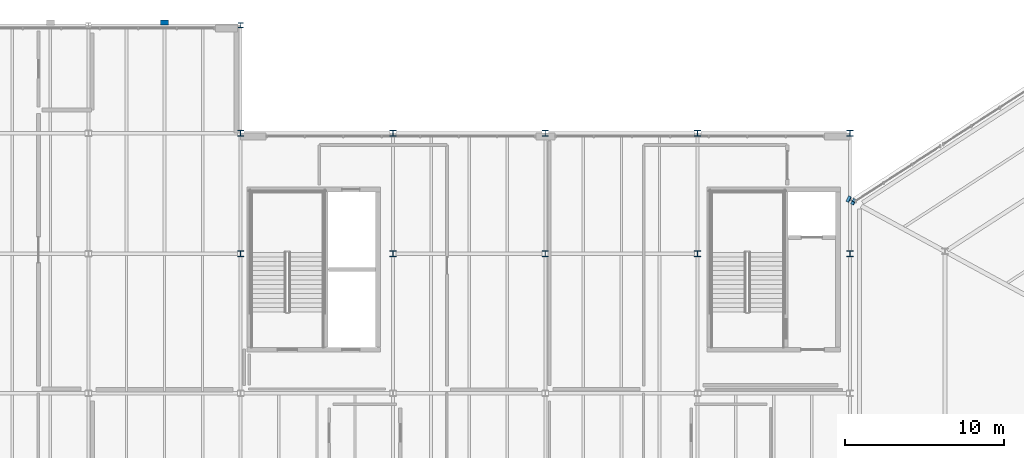
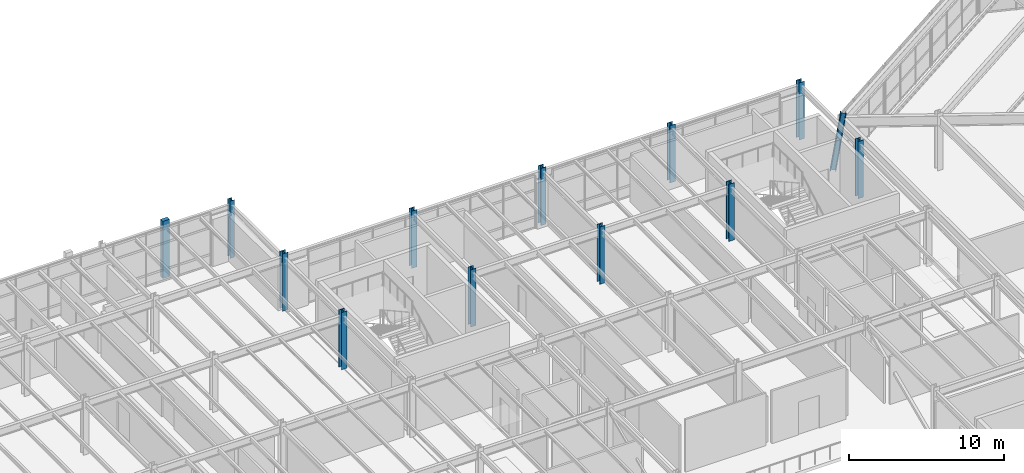
# One storey, part 13 of 77: 13 columns.
"""IFC4 building model written with IfcOpenShell, lengths in metres."""

from ifc_helpers import new_model, si_unit, direction, frame, origin, origin_2d, place, context, subcontext, project, spatial, rectangle, i_section, extrude, material, material_profile, profile_set, type_object, element, save


model = new_model("IFC4")

# Units and contexts
model_context = context("Model", 3, precision=1e-05, world=origin(), true_north=direction((0.0, 1.0)))
body_context = subcontext(model_context, "Body", "Model", "MODEL_VIEW")
ifc_project = project(units=[si_unit("LENGTHUNIT", "METRE"), si_unit("AREAUNIT", "SQUARE_METRE"), si_unit("VOLUMEUNIT", "CUBIC_METRE"), si_unit("PLANEANGLEUNIT", "RADIAN"), si_unit("MASSUNIT", "GRAM", prefix="KILO")], contexts=[model_context])

# Site, building, storey
site_placement = place(None, origin())
site = spatial("IfcSite", under=ifc_project, at=site_placement, CompositionType="ELEMENT")
building_placement = place(site_placement, origin())
building = spatial("IfcBuilding", under=site, at=building_placement, Name="Sarnbrook Museum", CompositionType="ELEMENT")
storey_placement = place(building_placement, frame((0.0, 0.0, 5.60009765625)))
storey = spatial("IfcBuildingStorey", under=building, at=storey_placement, Name="L01", CompositionType="ELEMENT", Elevation=5.60009765625)

# Columns
ifc_material_1 = material(Name="Structural Steel Grade 300PLUS (AS/NZS 3679.1, fy = 280 MPa for 17 < t <= 40 mm, 300 MPa for t <= 17 mm)", Category="steel")
ifc_material_profile_1 = material_profile(ifc_material_1, i_section(OverallWidth=0.31103515625, OverallDepth=0.326904296875, WebThickness=0.015625, FlangeThickness=0.02490234375, FilletRadius=0.0166015625, at=origin_2d()), Name="310UC158")
ifc_profile_set_1 = profile_set([ifc_material_profile_1], Name="Structural Steel Grade 300PLUS (AS/NZS 3679.1, fy = 280 MPa for 17 < t <= 40 mm, 300 MPa for t <= 17 mm)")
column_type_1 = type_object("IfcColumnType", Name="COL-UC310H", PredefinedType="COLUMN", material=ifc_profile_set_1)
column_1_placement = place(storey_placement, frame((80.800048828125, 115.199951171875, 0.0), z_axis=(0.0, 0.0, 1.0), x_axis=(1.0, 0.0, 0.0)))
element("IfcColumn", 1, at=column_1_placement, inside=storey, type_object=column_type_1, Name="Column 9-P L01", PredefinedType="COLUMN", context=body_context, shape_type="SweptSolid", body=[
    extrude(i_section(OverallWidth=0.31103515625, OverallDepth=0.326904296875, WebThickness=0.015625, FlangeThickness=0.02490234375, FilletRadius=0.0166015625, at=origin_2d()), origin(), (0.0, 0.0, 1.0), 4.5),
])
ifc_material_2 = material(Name="Structural Steel Grade 350L0 (AS/NZS 3678, fy = 340 MPa for 20 < t <= 40 mm)", Category="steel")
ifc_material_profile_2 = material_profile(ifc_material_2, i_section(OverallWidth=0.39990234375, OverallDepth=0.382080078125, WebThickness=0.02490234375, FlangeThickness=0.035888671875, at=origin_2d()), Name="400WC270")
ifc_profile_set_2 = profile_set([ifc_material_profile_2], Name="Structural Steel Grade 350L0 (AS/NZS 3678, fy = 340 MPa for 20 < t <= 40 mm)")
column_type_2 = type_object("IfcColumnType", Name="COL-WC400", PredefinedType="COLUMN", material=ifc_profile_set_2)
for number, where, z_axis, x_axis, name in (
    (2, (90.39990234375, 100.800048828125, 0.0), (0.0, 0.0, 1.0), (1.0, 0.0, 0.0), "Column 10-M L01"),
    (3, (90.39990234375, 108.39990234375, 0.0), (0.0, 0.0, 1.0), (1.0, 0.0, 0.0), "Column 10-N L01"),
    (4, (100.0, 100.800048828125, 0.0), (0.0, 0.0, 1.0), (1.0, 0.0, 0.0), "Column 11-M L01"),
    (5, (100.0, 108.39990234375, 0.0), (0.0, 0.0, 1.0), (1.0, 0.0, 0.0), "Column 11-N L01"),
    (6, (109.60009765625, 100.800048828125, 0.0), (0.0, 0.0, 1.0), (1.0, 0.0, 0.0), "Column 12-M L01"),
    (7, (109.60009765625, 108.39990234375, 0.0), (0.0, 0.0, 1.0), (1.0, 0.0, 0.0), "Column 12-N L01"),
    (8, (119.199951171875, 100.800048828125, 0.0), (0.0, 0.0, 1.0), (1.0, 0.0, 0.0), "Column 13-M L01"),
    (9, (119.199951171875, 108.39990234375, 0.0), (0.0, 0.0, 1.0), (1.0, 0.0, 0.0), "Column 13-N L01"),
    (10, (80.800048828125, 100.800048828125, 0.0), (0.0, 0.0, 1.0), (1.0, 0.0, 0.0), "Column 9-M L01"),
    (11, (80.800048828125, 108.39990234375, 0.0), (0.0, 0.0, 1.0), (1.0, 0.0, 0.0), "Column 9-N L01"),
):
    element("IfcColumn", number, at=place(storey_placement, frame(where, z_axis=z_axis, x_axis=x_axis)), inside=storey, type_object=column_type_2, Name=name, PredefinedType="COLUMN", context=body_context, shape_type="SweptSolid", body=[
        extrude(i_section(OverallWidth=0.39990234375, OverallDepth=0.382080078125, WebThickness=0.02490234375, FlangeThickness=0.035888671875, at=origin_2d()), origin(), (0.0, 0.0, 1.0), 4.5),
    ])
column_2_placement = place(storey_placement, frame((119.205322265625, 104.197021484375, 0.039794921875), z_axis=(0.130191095682, -0.070698366304, 0.988965125577), x_axis=(0.477212813724, 0.878787761873, 0.0)))
element("IfcColumn", 12, at=column_2_placement, inside=storey, type_object=column_type_2, Name="Raking Crystal Rib Column V7 L01", PredefinedType="COLUMN", context=body_context, shape_type="SweptSolid", body=[
    extrude(i_section(OverallWidth=0.39990234375, OverallDepth=0.382080078125, WebThickness=0.02490234375, FlangeThickness=0.035888671875, at=origin_2d()), origin(), (0.0, 0.0, 1.0), 4.510009765625),
])
ifc_material_3 = material(Name="Concrete N40 (AS 3600, f'c = 40 MPa)", Category="concrete")
ifc_material_profile_3 = material_profile(ifc_material_3, rectangle(XDim=0.5, YDim=0.300048828125, at=origin_2d()), Name="PILASTER 500x300")
ifc_profile_set_3 = profile_set([ifc_material_profile_3], Name="Concrete N40 (AS 3600, f'c = 40 MPa)")
column_type_3 = type_object("IfcColumnType", Name="PIL-500x300", PredefinedType="PILASTER", material=ifc_profile_set_3)
column_3_placement = place(storey_placement, frame((76.0, 115.3798828125, 0.0), z_axis=(0.0, 0.0, 1.0), x_axis=(1.0, 0.0, 0.0)))
element("IfcColumn", 13, at=column_3_placement, inside=storey, type_object=column_type_3, Name="Sandstone Classical Pilaster P-N3 L01", PredefinedType="PILASTER", context=body_context, shape_type="SweptSolid", body=[
    extrude(rectangle(XDim=0.5, YDim=0.300048828125, at=origin_2d()), origin(), (0.0, 0.0, 1.0), 4.5),
])

save(model, "model.ifc")
